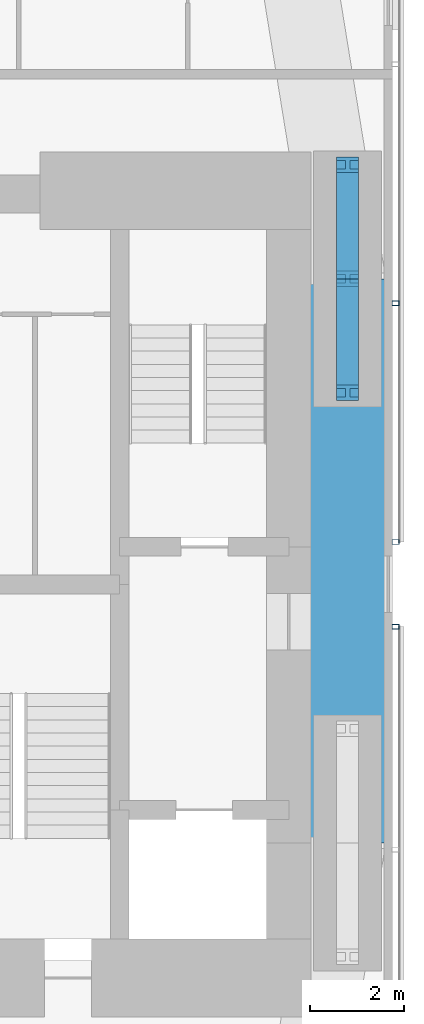
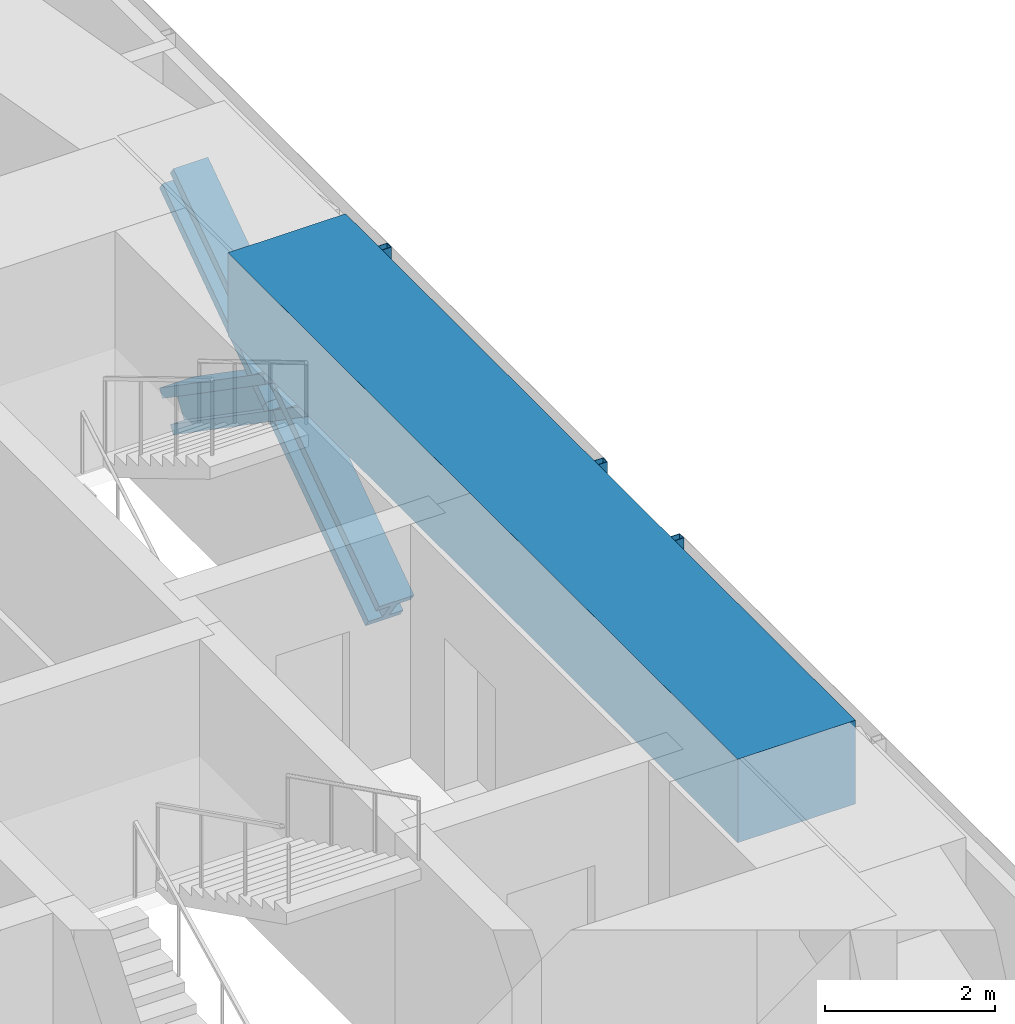
# One storey, part 9 of 23: 7 members, 1 beam, 2 elements without a shape of their own.
"""IFC4 building model written with IfcOpenShell, lengths in metres."""

from ifc_helpers import new_model, si_unit, direction, frame, origin, origin_2d, place, context, subcontext, project, spatial, rectangle, hollow_rectangle, i_section, extrude, material, material_profile, profile_set, type_object, element, aggregate, save


model = new_model("IFC4")

# Units and contexts
model_context = context("Model", 3, precision=1e-05, world=origin(), true_north=direction((0.0, 1.0)))
body_context = subcontext(model_context, "Body", "Model", "MODEL_VIEW")
ifc_project = project(units=[si_unit("LENGTHUNIT", "METRE"), si_unit("AREAUNIT", "SQUARE_METRE"), si_unit("VOLUMEUNIT", "CUBIC_METRE"), si_unit("PLANEANGLEUNIT", "RADIAN"), si_unit("MASSUNIT", "GRAM", prefix="KILO")], contexts=[model_context])

# Site, building, storey
site_placement = place(None, origin())
site = spatial("IfcSite", under=ifc_project, at=site_placement, CompositionType="ELEMENT")
building_placement = place(site_placement, origin())
building = spatial("IfcBuilding", under=site, at=building_placement, Name="Jalousie Tower", CompositionType="ELEMENT")
storey_placement = place(building_placement, frame((0.0, 0.0, 34.39990234375)))
storey = spatial("IfcBuildingStorey", under=building, at=storey_placement, Name="L08", CompositionType="ELEMENT", Elevation=34.39990234375)

# Members
ifc_material_1 = material(Name="Steel ASTM A992 Grade 50", Category="steel")
ifc_material_profile_1 = material_profile(ifc_material_1, i_section(OverallWidth=0.472412109375, OverallDepth=0.5791015625, WebThickness=0.094970703125, FlangeThickness=0.1298828125, at=origin_2d()), Name="W14X808")
ifc_profile_set_1 = profile_set([ifc_material_profile_1], Name="Steel ASTM A992 Grade 50")
member_type_1 = type_object("IfcMemberType", Name="PERIMETER BRACE W14X808", PredefinedType="BRACE", material=ifc_profile_set_1)
for number, where, z_axis, x_axis, name in (
    (1, (45.050048828125, 22.574951171875, -0.599853515625), (0.0, 0.822800062329, 0.568330940062), (-1.0, 0.0, 0.0), "Perimeter brace 07 L08 part 1"),
    (2, (45.050048828125, 25.0, 1.0751953125), (0.0, 0.82283879777, 0.568274856811), (-1.0, 0.0, 0.0), "Perimeter brace 07 L08 part 2"),
    (3, (45.050048828125, 27.425048828125, -0.599853515625), (0.0, -0.822800062329, 0.568330940062), (1.0, 0.0, 0.0), "Perimeter brace 07 L08 part 3"),
    (4, (45.050048828125, 25.0, 1.0751953125), (0.0, -0.82283879777, 0.568274856811), (1.0, 0.0, 0.0), "Perimeter brace 07 L08 part 4"),
):
    element("IfcMember", number, at=place(storey_placement, frame(where, z_axis=z_axis, x_axis=x_axis)), inside=storey, type_object=member_type_1, Name=name, PredefinedType="BRACE", context=body_context, shape_type="SweptSolid", body=[
        extrude(i_section(OverallWidth=0.472412109375, OverallDepth=0.5791015625, WebThickness=0.094970703125, FlangeThickness=0.1298828125, at=origin_2d()), origin(), (0.0, 0.0, 1.0), 2.947265625),
    ])

# Beam
ifc_material_2 = material(Name="Concrete f'c 40 MPa", Category="concrete")
ifc_material_profile_2 = material_profile(ifc_material_2, rectangle(XDim=1.60009765625, YDim=1.199951171875, at=origin_2d()), Name="RC 1600x1200")
ifc_profile_set_2 = profile_set([ifc_material_profile_2], Name="Concrete f'c 40 MPa")
beam_type = type_object("IfcBeamType", Name="RC BEAM 1600x1200", PredefinedType="BEAM", material=ifc_profile_set_2)
beam_placement = place(storey_placement, frame((45.050048828125, 13.0, 2.75), z_axis=(0.0, 1.0, 0.0), x_axis=(-1.0, 0.0, 0.0)))
element("IfcBeam", 5, at=beam_placement, inside=storey, type_object=beam_type, Name="Edge band beam 06-07 under L09", PredefinedType="BEAM", context=body_context, shape_type="SweptSolid", body=[
    extrude(rectangle(XDim=1.60009765625, YDim=1.199951171875, at=origin_2d()), origin(), (0.0, 0.0, 1.0), 12.0),
])

# Curtain wall, member
ifc_material_3 = material(Name="Perforated aluminium sheet", Category="aluminium")
curtain_wall_type = type_object("IfcCurtainWallType", Name="SOLAR SCREEN SS-1", PredefinedType="USERDEFINED", material=ifc_material_3)
curtain_wall_1_placement = place(storey_placement, origin())
curtain_wall_1 = element("IfcCurtainWall", 6, at=curtain_wall_1_placement, inside=storey, type_object=curtain_wall_type, Name="Solar screen L08", ObjectType="SOLAR SCREEN SS-1", PredefinedType="USERDEFINED")
ifc_material_4 = material(Name="Steel ASTM A500 Grade C", Category="steel")
ifc_material_profile_3 = material_profile(ifc_material_4, hollow_rectangle(XDim=0.1015625, YDim=0.15234375, WallThickness=0.00634765625, at=origin_2d()), Name="HSS6X4X1/4")
ifc_profile_set_3 = profile_set([ifc_material_profile_3], Name="Steel ASTM A500 Grade C")
member_type_2 = type_object("IfcMemberType", Name="SOLAR SCREEN SS-1 MULLION", PredefinedType="MULLION", material=ifc_profile_set_3)
member_1_placement = place(storey_placement, frame((46.0712890625, 17.60009765625, -0.119873046875), z_axis=(0.0, 0.0, 1.0), x_axis=(0.0, 1.0, 0.0)))
member_1 = element("IfcMember", 7, at=member_1_placement, type_object=member_type_2, Name="SS1 post 4", PredefinedType="MULLION", context=body_context, shape_type="SweptSolid", body=[
    extrude(hollow_rectangle(XDim=0.1015625, YDim=0.15234375, WallThickness=0.00634765625, at=origin_2d()), origin(), (0.0, 0.0, 1.0), 3.22998046875),
])
aggregate(curtain_wall_1, [member_1])

# Curtain wall, members
curtain_wall_2_placement = place(storey_placement, origin())
curtain_wall_2 = element("IfcCurtainWall", 8, at=curtain_wall_2_placement, inside=storey, type_object=curtain_wall_type, Name="Solar screen L08", ObjectType="SOLAR SCREEN SS-1", PredefinedType="USERDEFINED")
member_2_placement = place(storey_placement, frame((46.0712890625, 19.39990234375, -0.119873046875), z_axis=(0.0, 0.0, 1.0), x_axis=(0.0, 1.0, 0.0)))
member_2 = element("IfcMember", 9, at=member_2_placement, type_object=member_type_2, Name="SS1 post 1", PredefinedType="MULLION", context=body_context, shape_type="SweptSolid", body=[
    extrude(hollow_rectangle(XDim=0.1015625, YDim=0.15234375, WallThickness=0.00634765625, at=origin_2d()), origin(), (0.0, 0.0, 1.0), 3.22998046875),
])
member_3_placement = place(storey_placement, frame((46.0712890625, 24.48291015625, -0.119873046875), z_axis=(0.0, 0.0, 1.0), x_axis=(0.0, 1.0, 0.0)))
member_3 = element("IfcMember", 10, at=member_3_placement, type_object=member_type_2, Name="SS1 post 2", PredefinedType="MULLION", context=body_context, shape_type="SweptSolid", body=[
    extrude(hollow_rectangle(XDim=0.1015625, YDim=0.15234375, WallThickness=0.00634765625, at=origin_2d()), origin(), (0.0, 0.0, 1.0), 3.22998046875),
])
aggregate(curtain_wall_2, [member_2, member_3])

save(model, "model.ifc")
